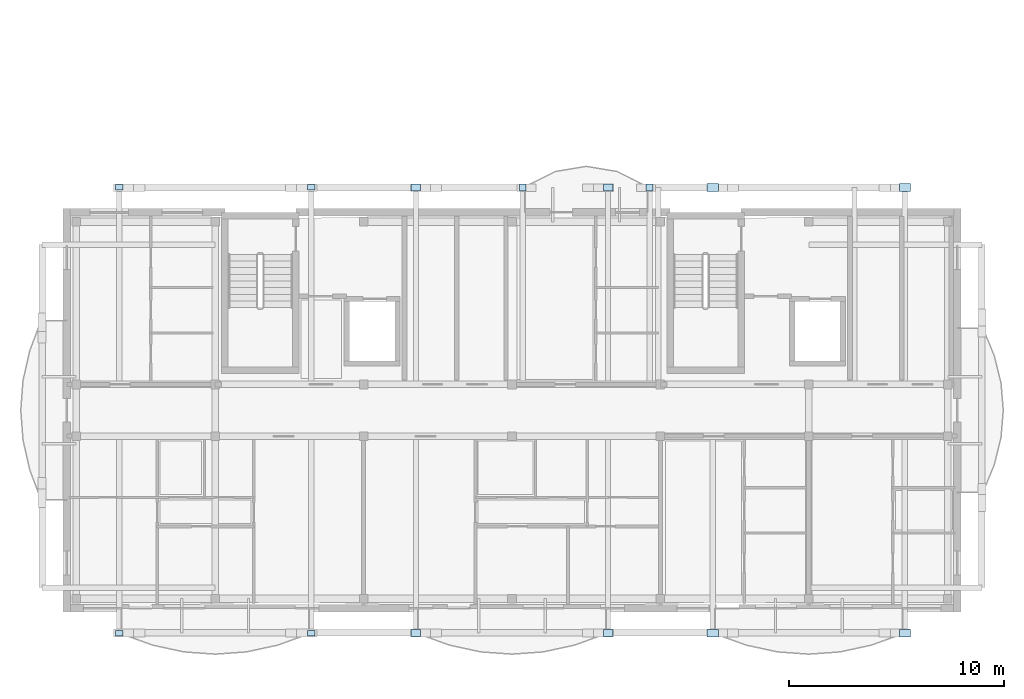
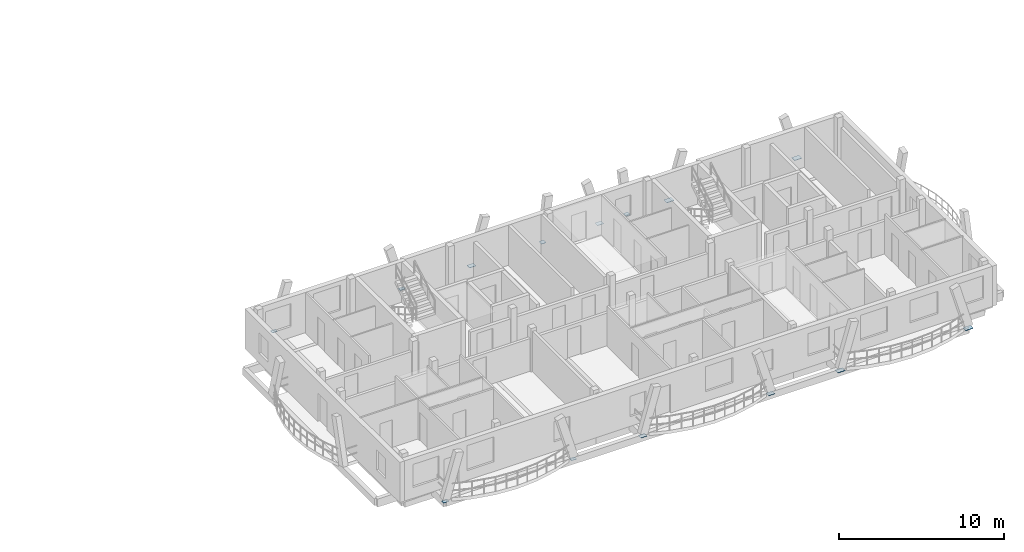
# One storey, part 4 of 18: 14 plates.
"""IFC4 building model written with IfcOpenShell, lengths in metres."""

import ifcopenshell
import ifcopenshell.guid

model = None  # the IFC model being written
_history = None  # IfcOwnerHistory: only IFC2X3 demands one
_inside = {}  # id of a spatial element -> (the spatial element, [elements in it])
_under = {}  # id of a project, library or spatial element -> (it, [spatial elements below it])
_declared = {}  # id of a project -> (the project, [libraries it declares])
_typed = {}  # id of a type object -> (the type object, [elements of that type])
_made_of = {}  # id of a material, layer set ... -> (it, [elements and type objects made of it])


def new_model(schema):
    """Start an empty IFC model of exactly this schema.

    Asked for "IFC4X3", IfcOpenShell would pick the latest addendum, in which some entities
    have other attributes; the version numbers below select the first issue.
    IFC2X3 requires an IfcOwnerHistory on every rooted entity: one is made here for all.
    """
    global model, _history
    if schema == "IFC4X3":
        model = ifcopenshell.file(schema_version=(4, 3, 0, 0))
    else:
        model = ifcopenshell.file(schema=schema)
    _inside.clear()
    _under.clear()
    _declared.clear()
    _typed.clear()
    _made_of.clear()
    _history = None
    if model.schema == "IFC2X3":
        org = make("IfcOrganization", Name="unknown")
        user = make(
            "IfcPersonAndOrganization",
            ThePerson=make("IfcPerson", FamilyName="unknown"),
            TheOrganization=org,
        )
        app = make(
            "IfcApplication",
            ApplicationDeveloper=org,
            Version="unknown",
            ApplicationFullName="unknown",
            ApplicationIdentifier="unknown",
        )
        _history = make(
            "IfcOwnerHistory",
            OwningUser=user,
            OwningApplication=app,
            ChangeAction="ADDED",
            CreationDate=0,
        )
    return model


def make(cls, **values):
    """One entity of the class cls with the attributes given. An attribute that is None is left unset."""
    return model.create_entity(
        cls, **{name: value for name, value in values.items() if value is not None}
    )


def rooted(cls, **values):
    """An entity with a GlobalId (a new one), such as an element, a storey or a relation."""
    return make(cls, GlobalId=ifcopenshell.guid.new(), OwnerHistory=_history, **values)


def si_unit(unit_type, name, prefix=None):
    """IfcSIUnit, for example si_unit("LENGTHUNIT", "METRE", prefix="MILLI")."""
    return make("IfcSIUnit", UnitType=unit_type, Prefix=prefix, Name=name)


def assignment(units):
    """IfcUnitAssignment: the units of a project."""
    return None if units is None else make("IfcUnitAssignment", Units=units)


def point(xyz):
    """IfcCartesianPoint."""
    return None if xyz is None else make("IfcCartesianPoint", Coordinates=xyz)


def direction(xyz):
    """IfcDirection."""
    return None if xyz is None else make("IfcDirection", DirectionRatios=xyz)


def frame(location, z_axis=None, x_axis=None):
    """IfcAxis2Placement3D, a coordinate frame: its origin and axes. An axis left out is left unset."""
    return make(
        "IfcAxis2Placement3D",
        Location=point(location),
        Axis=direction(z_axis),
        RefDirection=direction(x_axis),
    )


def frame_2d(location, x_axis=None):
    """IfcAxis2Placement2D, a coordinate frame in the plane: its origin and x axis."""
    return make(
        "IfcAxis2Placement2D", Location=point(location), RefDirection=direction(x_axis)
    )


def origin():
    """The frame at (0, 0, 0) with its axes left unset."""
    return frame((0.0, 0.0, 0.0))


def origin_2d():
    """The frame at (0, 0) in the plane with its x axis left unset."""
    return frame_2d((0.0, 0.0))


def place(relative_to, where):
    """IfcLocalPlacement: puts the frame where relative to a parent placement (None: the world)."""
    return make(
        "IfcLocalPlacement", PlacementRelTo=relative_to, RelativePlacement=where
    )


def context(
    kind, dimensions, precision=None, world=None, true_north=None, identifier=None
):
    """IfcGeometricRepresentationContext, for example the 3D "Model" context."""
    return make(
        "IfcGeometricRepresentationContext",
        ContextIdentifier=identifier,
        ContextType=kind,
        CoordinateSpaceDimension=dimensions,
        Precision=precision,
        WorldCoordinateSystem=world,
        TrueNorth=true_north,
    )


def subcontext(parent, identifier, kind, view, scale=None):
    """IfcGeometricRepresentationSubContext, for example "Body" below "Model"."""
    return make(
        "IfcGeometricRepresentationSubContext",
        ContextIdentifier=identifier,
        ContextType=kind,
        ParentContext=parent,
        TargetScale=scale,
        TargetView=view,
    )


def project(units=None, contexts=None):
    """IfcProject with its units and contexts."""
    return rooted(
        "IfcProject",
        Name="project",
        RepresentationContexts=contexts,
        UnitsInContext=assignment(units),
    )


def spatial(cls, under=None, at=None, **own):
    """A site, building, storey or space (cls), placed at a placement, below another one or the project."""
    s = rooted(cls, ObjectPlacement=at, **own)
    if under is not None:
        _under.setdefault(under.id(), (under, []))[1].append(s)
    return s


def profile(cls, at=None, kind="AREA", **sizes):
    """A parametric profile (cls). Its sizes go by their IFC names, for example OverallWidth=200.0."""
    return make(cls, ProfileType=kind, Position=at, **sizes)


def rectangle(**sizes):
    """IfcRectangleProfileDef."""
    return profile("IfcRectangleProfileDef", **sizes)


def extrude(swept, where, along, depth):
    """IfcExtrudedAreaSolid: the profile swept, set in the frame where, extruded along a direction by depth."""
    return make(
        "IfcExtrudedAreaSolid",
        SweptArea=swept,
        Position=where,
        ExtrudedDirection=direction(along),
        Depth=depth,
    )


def shape(context_of_items, identifier, shape_type, items):
    """IfcShapeRepresentation: the items that make up one representation, for example the "Body"."""
    return make(
        "IfcShapeRepresentation",
        ContextOfItems=context_of_items,
        RepresentationIdentifier=identifier,
        RepresentationType=shape_type,
        Items=items,
    )


def material(Name=None, Category=None):
    """IfcMaterial."""
    return make("IfcMaterial", Name=Name, Category=Category)


def layer(
    of_material, thickness, ventilated=None, Name=None, Category=None, Priority=None
):
    """IfcMaterialLayer: one layer of a wall or slab, of a material (None: an air gap)."""
    return make(
        "IfcMaterialLayer",
        Material=of_material,
        LayerThickness=thickness,
        IsVentilated=ventilated,
        Name=Name,
        Category=Category,
        Priority=Priority,
    )


def layer_set(layers, Name=None):
    """IfcMaterialLayerSet."""
    return make("IfcMaterialLayerSet", MaterialLayers=layers, LayerSetName=Name)


def made_of(thing, what):
    """Note that an element or type object is made of a material, layer set ...; save() writes the relation."""
    if what is not None:
        _made_of.setdefault(what.id(), (what, []))[1].append(thing)
    return thing


def type_object(cls, material=None, **own):
    """A type object (cls), such as IfcWallType, which elements share."""
    return made_of(rooted(cls, **own), material)


def element(
    cls,
    number,
    at=None,
    inside=None,
    cuts=None,
    type_object=None,
    material=None,
    context=None,
    identifier="Body",
    shape_type=None,
    held_by="IfcProductDefinitionShape",
    body=None,
    shapes=None,
    **own,
):
    """One element of the class cls, such as IfcWall. Its Tag is "e" and its number.

    at: its placement. inside: the storey or other place that contains it. cuts: it is an
    opening in that element (IfcRelVoidsElement). A single representation is given by context,
    identifier, shape_type and body (its items); several are given by shapes. held_by: the class
    of the entity that holds the representations. save() writes the other relations.
    """
    e = rooted(cls, Tag="e%d" % number, ObjectPlacement=at, **own)
    if body is not None:
        shapes = [shape(context, identifier, shape_type, body)]
    if shapes is not None:
        e.Representation = make(held_by, Representations=shapes)
    if inside is not None:
        _inside.setdefault(inside.id(), (inside, []))[1].append(e)
    if cuts is not None:
        rooted(
            "IfcRelVoidsElement", RelatingBuildingElement=cuts, RelatedOpeningElement=e
        )
    if type_object is not None:
        _typed.setdefault(type_object.id(), (type_object, []))[1].append(e)
    return made_of(e, material)


def aggregate(whole, parts):
    """IfcRelAggregates: a whole, such as a stair, and the parts it consists of."""
    return rooted("IfcRelAggregates", RelatingObject=whole, RelatedObjects=parts)


def save(model, path):
    """Write the relations noted so far, then the file.

    IfcRelAggregates (storeys below a building ...), IfcRelContainedInSpatialStructure (elements
    in a storey), IfcRelDefinesByType, IfcRelAssociatesMaterial and IfcRelDeclares: one each for
    every whole, place, type object, material and project.
    """
    for whole, parts in _under.values():
        aggregate(whole, parts)
    for where, things in _inside.values():
        rooted(
            "IfcRelContainedInSpatialStructure",
            RelatedElements=things,
            RelatingStructure=where,
        )
    for kind, things in _typed.values():
        rooted("IfcRelDefinesByType", RelatedObjects=things, RelatingType=kind)
    for what, things in _made_of.values():
        rooted("IfcRelAssociatesMaterial", RelatedObjects=things, RelatingMaterial=what)
    for by, libraries in _declared.values():
        rooted("IfcRelDeclares", RelatingContext=by, RelatedDefinitions=libraries)
    model.write(path)


model = new_model("IFC4")

# Units and contexts
model_context = context("Model", 3, precision=1e-05, world=origin(), true_north=direction((0.0, 1.0)))
body_context = subcontext(model_context, "Body", "Model", "MODEL_VIEW")
ifc_project = project(units=[si_unit("LENGTHUNIT", "METRE"), si_unit("AREAUNIT", "SQUARE_METRE"), si_unit("VOLUMEUNIT", "CUBIC_METRE"), si_unit("PLANEANGLEUNIT", "RADIAN"), si_unit("MASSUNIT", "GRAM", prefix="KILO")], contexts=[model_context])

# Site, building, storey
site_placement = place(None, origin())
site = spatial("IfcSite", under=ifc_project, at=site_placement, CompositionType="ELEMENT")
building_placement = place(site_placement, origin())
building = spatial("IfcBuilding", under=site, at=building_placement, Name="Zavelmont Quarter", CompositionType="ELEMENT")
storey_placement = place(building_placement, frame((0.0, 0.0, 40.0)))
storey = spatial("IfcBuildingStorey", under=building, at=storey_placement, Name="L12", CompositionType="ELEMENT", Elevation=40.0)

# Plates
ifc_material = material(Name="Steel S355", Category="steel")
ifc_layer_1 = layer(ifc_material, 0.02392578125)
ifc_layer_set_1 = layer_set([ifc_layer_1], Name="Steel S355")
plate_type_1 = type_object("IfcPlateType", Name="NP02", PredefinedType="SHEET", material=ifc_layer_set_1)
for number, where, z_axis, x_axis, name in (
    (1, (2.43505859375, -1.162109375, -0.2119140625), (0.0, 0.0, 1.0), (1.0, 0.0, 0.0), "L12 steel connection plate NP02 at 1/A"),
    (2, (11.364990234375, -1.162109375, -0.2119140625), (0.0, 0.0, 1.0), (1.0, 0.0, 0.0), "L12 steel connection plate NP02 at 3/A"),
    (3, (2.43505859375, 19.56201171875, -0.2119140625), (0.0, 0.0, 1.0), (1.0, 0.0, 0.0), "L12 steel connection plate NP02 at 1/D"),
    (4, (11.364990234375, 19.56201171875, -0.2119140625), (0.0, 0.0, 1.0), (1.0, 0.0, 0.0), "L12 steel connection plate NP02 at 3/D"),
):
    element("IfcPlate", number, at=place(storey_placement, frame(where, z_axis=z_axis, x_axis=x_axis)), inside=storey, type_object=plate_type_1, Name=name, PredefinedType="SHEET", context=body_context, shape_type="SweptSolid", body=[
        extrude(rectangle(XDim=0.360107421875, YDim=0.260009765625, at=origin_2d()), origin(), (0.0, 0.0, 1.0), 0.02392578125),
    ])
ifc_layer_2 = layer(ifc_material, 0.02490234375)
ifc_layer_set_2 = layer_set([ifc_layer_2], Name="Steel S355")
plate_type_2 = type_object("IfcPlateType", Name="NP03", PredefinedType="SHEET", material=ifc_layer_set_2)
for number, where, z_axis, x_axis, name in (
    (5, (16.235107421875, -1.162109375, -0.21240234375), (0.0, 0.0, 1.0), (1.0, 0.0, 0.0), "L12 steel connection plate NP03 at 3/A"),
    (6, (25.1650390625, -1.162109375, -0.21240234375), (0.0, 0.0, 1.0), (1.0, 0.0, 0.0), "L12 steel connection plate NP03 at 5/A"),
    (7, (16.235107421875, 19.56201171875, -0.21240234375), (0.0, 0.0, 1.0), (1.0, 0.0, 0.0), "L12 steel connection plate NP03 at 3/D"),
    (8, (25.1650390625, 19.56201171875, -0.21240234375), (0.0, 0.0, 1.0), (1.0, 0.0, 0.0), "L12 steel connection plate NP03 at 5/D"),
):
    element("IfcPlate", number, at=place(storey_placement, frame(where, z_axis=z_axis, x_axis=x_axis)), inside=storey, type_object=plate_type_2, Name=name, PredefinedType="SHEET", context=body_context, shape_type="SweptSolid", body=[
        extrude(rectangle(XDim=0.43994140625, YDim=0.320068359375, at=origin_2d()), origin(), (0.0, 0.0, 1.0), 0.02490234375),
    ])
ifc_layer_3 = layer(ifc_material, 0.028076171875)
ifc_layer_set_3 = layer_set([ifc_layer_3], Name="Steel S355")
plate_type_3 = type_object("IfcPlateType", Name="NP04", PredefinedType="SHEET", material=ifc_layer_set_3)
for number, where, z_axis, x_axis, name in (
    (9, (30.034912109375, -1.162109375, -0.2138671875), (0.0, 0.0, 1.0), (1.0, 0.0, 0.0), "L12 steel connection plate NP04 at 5/A"),
    (10, (38.965087890625, -1.162109375, -0.2138671875), (0.0, 0.0, 1.0), (1.0, 0.0, 0.0), "L12 steel connection plate NP04 at 7/A"),
    (11, (30.034912109375, 19.56201171875, -0.2138671875), (0.0, 0.0, 1.0), (1.0, 0.0, 0.0), "L12 steel connection plate NP04 at 5/D"),
    (12, (38.965087890625, 19.56201171875, -0.2138671875), (0.0, 0.0, 1.0), (1.0, 0.0, 0.0), "L12 steel connection plate NP04 at 7/D"),
):
    element("IfcPlate", number, at=place(storey_placement, frame(where, z_axis=z_axis, x_axis=x_axis)), inside=storey, type_object=plate_type_3, Name=name, PredefinedType="SHEET", context=body_context, shape_type="SweptSolid", body=[
        extrude(rectangle(XDim=0.52001953125, YDim=0.360107421875, at=origin_2d()), origin(), (0.0, 0.0, 1.0), 0.028076171875),
    ])
ifc_layer_4 = layer(ifc_material, 0.02197265625)
ifc_layer_set_4 = layer_set([ifc_layer_4], Name="Steel S355")
plate_type_4 = type_object("IfcPlateType", Name="NP06", PredefinedType="SHEET", material=ifc_layer_set_4)
for number, where, z_axis, x_axis, name in (
    (13, (21.199951171875, 19.56201171875, -0.2109375), (0.0, 0.0, 1.0), (1.0, 0.0, 0.0), "L12 steel connection plate NP06 at 4/D"),
    (14, (27.10009765625, 19.56201171875, -0.2109375), (0.0, 0.0, 1.0), (1.0, 0.0, 0.0), "L12 steel connection plate NP06 at 5/D"),
):
    element("IfcPlate", number, at=place(storey_placement, frame(where, z_axis=z_axis, x_axis=x_axis)), inside=storey, type_object=plate_type_4, Name=name, PredefinedType="SHEET", context=body_context, shape_type="SweptSolid", body=[
        extrude(rectangle(XDim=0.320068359375, YDim=0.320068359375, at=origin_2d()), origin(), (0.0, 0.0, 1.0), 0.02197265625),
    ])

save(model, "model.ifc")
